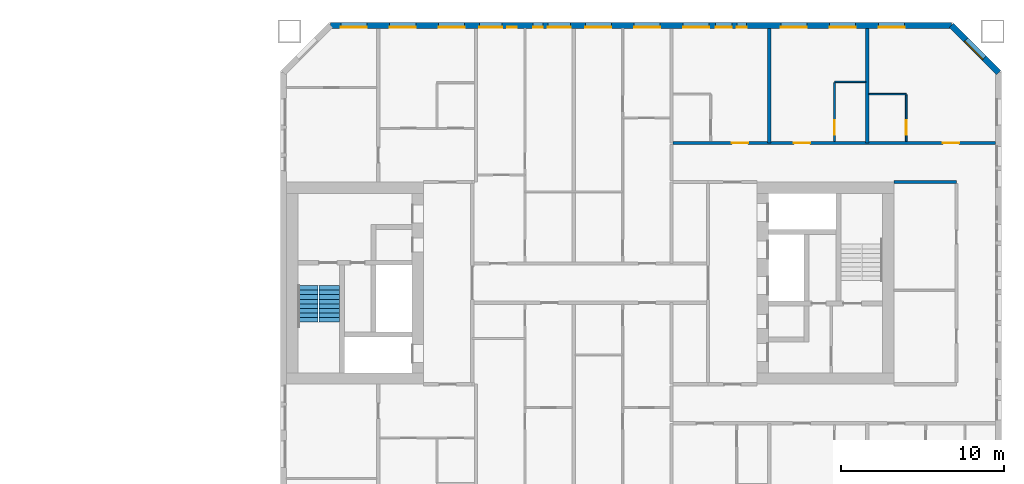
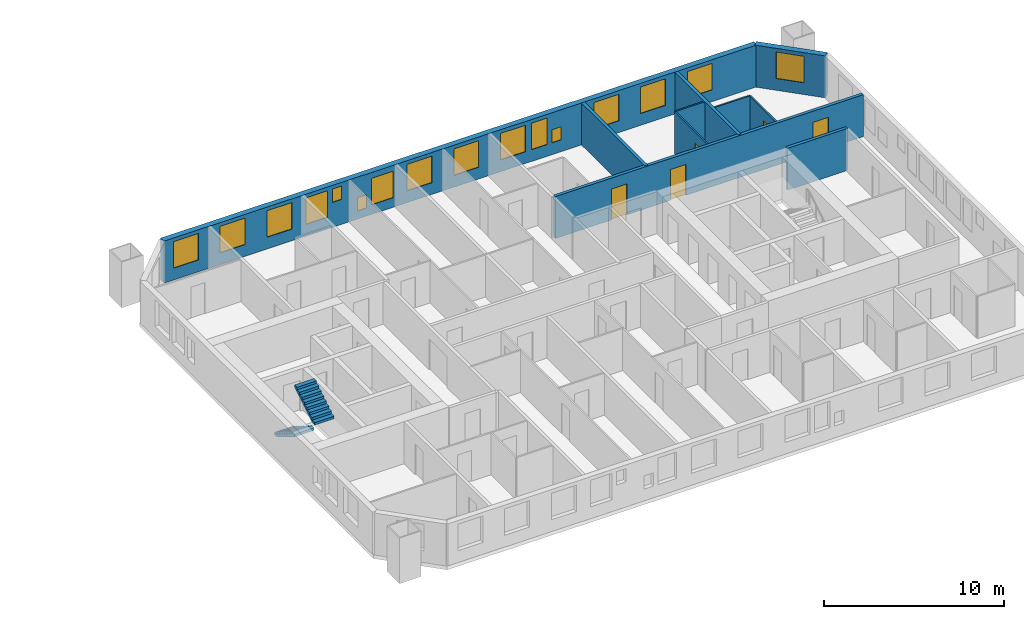
# One storey, part 14 of 17: 16 windows, 10 walls, 5 doors, 2 stair flights, 21 openings, 1 element without a shape of its own.
"""IFC4 building model written with IfcOpenShell, lengths in metres."""

from ifc_helpers import new_model, si_unit, direction, frame, frame_2d, origin, place, context, subcontext, project, spatial, polyline, rectangle, outline, extrude, material, layer, layer_set, type_object, element, fill, aggregate, save


model = new_model("IFC4")

# Units and contexts
model_context = context("Model", 3, precision=1e-05, world=origin(), true_north=direction((0.0, 1.0)))
body_context = subcontext(model_context, "Body", "Model", "MODEL_VIEW")
ifc_project = project(units=[si_unit("LENGTHUNIT", "METRE"), si_unit("AREAUNIT", "SQUARE_METRE"), si_unit("VOLUMEUNIT", "CUBIC_METRE"), si_unit("PLANEANGLEUNIT", "RADIAN"), si_unit("MASSUNIT", "GRAM", prefix="KILO")], contexts=[model_context])

# Site, building, storey
site_placement = place(None, origin())
site = spatial("IfcSite", under=ifc_project, at=site_placement, CompositionType="ELEMENT")
building_placement = place(site_placement, origin())
building = spatial("IfcBuilding", under=site, at=building_placement, Name="Tuart Gate Housing", CompositionType="ELEMENT")
storey_placement = place(building_placement, frame((0.0, 0.0, 80.89990234375)))
storey = spatial("IfcBuildingStorey", under=building, at=storey_placement, Name="L22", CompositionType="ELEMENT", Elevation=80.89990234375)

# Wall, opening, window
ifc_material_1 = material(Name="Brick", Category="masonry")
ifc_layer_1 = layer(ifc_material_1, 0.360107421875)
ifc_layer_set_1 = layer_set([ifc_layer_1], Name="Brick pier and spandrel wall 360")
wall_type_1 = type_object("IfcWallType", Name="Brick pier and spandrel wall 360", PredefinedType="STANDARD", material=ifc_layer_set_1)
wall_1_placement = place(storey_placement, frame((175.070068359375, 82.92529296875, 0.0), z_axis=(0.0, 0.0, 1.0), x_axis=(-0.707106781187, 0.707106781187, 0.0)))
wall_1 = element("IfcWall", 1, at=wall_1_placement, inside=storey, type_object=wall_type_1, Name="External wall B-NE L22", PredefinedType="STANDARD", context=body_context, shape_type="SweptSolid", body=[
    extrude(rectangle(XDim=4.09375, YDim=0.360107421875, at=frame_2d((2.046875, 0.0))), origin(), (0.0, 0.0, 1.0), 2.85009765625),
])
opening_1_placement = place(wall_1_placement, frame((1.2470703125, 0.0, 0.800048828125)))
opening_1 = element("IfcOpeningElement", 2, at=opening_1_placement, cuts=wall_1, Name="Opening W1", PredefinedType="OPENING", context=body_context, shape_type="SweptSolid", body=[
    extrude(rectangle(XDim=1.60009765625, YDim=1.800048828125, at=frame_2d((0.800048828125, 0.89990234375))), frame((0.0, 0.18994140625, 0.0), z_axis=(0.0, -1.0, 0.0), x_axis=(1.0, 0.0, 0.0)), (0.0, 0.0, 1.0), 0.380126953125),
])
ifc_material_2 = material(Name="Aluminium frame with clear glass", Category="aluminium")
window_type_1 = type_object("IfcWindowType", Name="Punched window 1600 x 1800", PartitioningType="SINGLE_PANEL", PredefinedType="WINDOW", material=ifc_material_2)
window_1_placement = place(opening_1_placement, origin())
window_1 = element("IfcWindow", 3, at=window_1_placement, inside=storey, type_object=window_type_1, Name="Window W1", OverallHeight=1.800048828125, OverallWidth=1.60009765625, PartitioningType="SINGLE_PANEL", PredefinedType="WINDOW", context=body_context, shape_type="SweptSolid", body=[
    extrude(rectangle(XDim=1.60009765625, YDim=1.800048828125, at=frame_2d((0.800048828125, 0.89990234375))), frame((0.0, 0.150146484375, 0.0), z_axis=(0.0, -1.0, 0.0), x_axis=(1.0, 0.0, 0.0)), (0.0, 0.0, 1.0), 0.06005859375),
])
fill(opening_1, window_1)

# Wall, openings, windows
wall_2_placement = place(storey_placement, frame((172.17529296875, 85.820068359375, 0.0), z_axis=(0.0, 0.0, 1.0), x_axis=(-1.0, 0.0, 0.0)))
wall_2 = element("IfcWall", 4, at=wall_2_placement, inside=storey, type_object=wall_type_1, Name="External wall B-N L22", PredefinedType="STANDARD", context=body_context, shape_type="SweptSolid", body=[
    extrude(rectangle(XDim=38.100830078125, YDim=0.360107421875, at=frame_2d((19.05029296875, 0.0))), origin(), (0.0, 0.0, 1.0), 2.85009765625),
])
opening_2_placement = place(wall_2_placement, frame((2.87548828125, 0.0, 0.800048828125)))
opening_2 = element("IfcOpeningElement", 5, at=opening_2_placement, cuts=wall_2, Name="Opening W1", PredefinedType="OPENING", context=body_context, shape_type="SweptSolid", body=[
    extrude(rectangle(XDim=1.60009765625, YDim=1.800048828125, at=frame_2d((0.800048828125, 0.89990234375))), frame((0.0, 0.18994140625, 0.0), z_axis=(0.0, -1.0, 0.0), x_axis=(1.0, 0.0, 0.0)), (0.0, 0.0, 1.0), 0.380126953125),
])
opening_3_placement = place(wall_2_placement, frame((5.87548828125, 0.0, 0.800048828125)))
opening_3 = element("IfcOpeningElement", 6, at=opening_3_placement, cuts=wall_2, Name="Opening W1", PredefinedType="OPENING", context=body_context, shape_type="SweptSolid", body=[
    extrude(rectangle(XDim=1.60009765625, YDim=1.800048828125, at=frame_2d((0.800048828125, 0.89990234375))), frame((0.0, 0.18994140625, 0.0), z_axis=(0.0, -1.0, 0.0), x_axis=(1.0, 0.0, 0.0)), (0.0, 0.0, 1.0), 0.380126953125),
])
opening_4_placement = place(wall_2_placement, frame((8.87548828125, 0.0, 0.800048828125)))
opening_4 = element("IfcOpeningElement", 7, at=opening_4_placement, cuts=wall_2, Name="Opening W1", PredefinedType="OPENING", context=body_context, shape_type="SweptSolid", body=[
    extrude(rectangle(XDim=1.60009765625, YDim=1.800048828125, at=frame_2d((0.800048828125, 0.89990234375))), frame((0.0, 0.18994140625, 0.0), z_axis=(0.0, -1.0, 0.0), x_axis=(1.0, 0.0, 0.0)), (0.0, 0.0, 1.0), 0.380126953125),
])
opening_5_placement = place(wall_2_placement, frame((12.575439453125, 0.0, 0.800048828125)))
opening_5 = element("IfcOpeningElement", 8, at=opening_5_placement, cuts=wall_2, Name="Opening W1W", PredefinedType="OPENING", context=body_context, shape_type="SweptSolid", body=[
    extrude(rectangle(XDim=0.60009765625, YDim=0.89990234375, at=frame_2d((0.300048828125, 0.449951171875))), frame((0.0, 0.18994140625, 0.0), z_axis=(0.0, -1.0, 0.0), x_axis=(1.0, 0.0, 0.0)), (0.0, 0.0, 1.0), 0.380126953125),
])
opening_6_placement = place(wall_2_placement, frame((14.87548828125, 0.0, 0.800048828125)))
opening_6 = element("IfcOpeningElement", 9, at=opening_6_placement, cuts=wall_2, Name="Opening W1", PredefinedType="OPENING", context=body_context, shape_type="SweptSolid", body=[
    extrude(rectangle(XDim=1.60009765625, YDim=1.800048828125, at=frame_2d((0.800048828125, 0.89990234375))), frame((0.0, 0.18994140625, 0.0), z_axis=(0.0, -1.0, 0.0), x_axis=(1.0, 0.0, 0.0)), (0.0, 0.0, 1.0), 0.380126953125),
])
opening_7_placement = place(wall_2_placement, frame((17.87548828125, 0.0, 0.800048828125)))
opening_7 = element("IfcOpeningElement", 10, at=opening_7_placement, cuts=wall_2, Name="Opening W1", PredefinedType="OPENING", context=body_context, shape_type="SweptSolid", body=[
    extrude(rectangle(XDim=1.60009765625, YDim=1.800048828125, at=frame_2d((0.800048828125, 0.89990234375))), frame((0.0, 0.18994140625, 0.0), z_axis=(0.0, -1.0, 0.0), x_axis=(1.0, 0.0, 0.0)), (0.0, 0.0, 1.0), 0.380126953125),
])
opening_8_placement = place(wall_2_placement, frame((20.87548828125, 0.0, 0.800048828125)))
opening_8 = element("IfcOpeningElement", 11, at=opening_8_placement, cuts=wall_2, Name="Opening W1", PredefinedType="OPENING", context=body_context, shape_type="SweptSolid", body=[
    extrude(rectangle(XDim=1.60009765625, YDim=1.800048828125, at=frame_2d((0.800048828125, 0.89990234375))), frame((0.0, 0.18994140625, 0.0), z_axis=(0.0, -1.0, 0.0), x_axis=(1.0, 0.0, 0.0)), (0.0, 0.0, 1.0), 0.380126953125),
])
opening_9_placement = place(wall_2_placement, frame((23.37548828125, 0.0, 0.64990234375)))
opening_9 = element("IfcOpeningElement", 12, at=opening_9_placement, cuts=wall_2, Name="Opening W1A", PredefinedType="OPENING", context=body_context, shape_type="SweptSolid", body=[
    extrude(rectangle(XDim=1.39990234375, YDim=1.800048828125, at=frame_2d((0.699951171875, 0.89990234375))), frame((0.0, 0.18994140625, 0.0), z_axis=(0.0, -1.0, 0.0), x_axis=(1.0, 0.0, 0.0)), (0.0, 0.0, 1.0), 0.380126953125),
])
opening_10_placement = place(wall_2_placement, frame((26.67529296875, 0.0, 1.699951171875)))
opening_10 = element("IfcOpeningElement", 13, at=opening_10_placement, cuts=wall_2, Name="Opening W1W", PredefinedType="OPENING", context=body_context, shape_type="SweptSolid", body=[
    extrude(rectangle(XDim=0.60009765625, YDim=0.89990234375, at=frame_2d((0.300048828125, 0.449951171875))), frame((0.0, 0.18994140625, 0.0), z_axis=(0.0, -1.0, 0.0), x_axis=(1.0, 0.0, 0.0)), (0.0, 0.0, 1.0), 0.380126953125),
])
opening_11_placement = place(wall_2_placement, frame((29.87548828125, 0.0, 0.800048828125)))
opening_11 = element("IfcOpeningElement", 14, at=opening_11_placement, cuts=wall_2, Name="Opening W1", PredefinedType="OPENING", context=body_context, shape_type="SweptSolid", body=[
    extrude(rectangle(XDim=1.60009765625, YDim=1.800048828125, at=frame_2d((0.800048828125, 0.89990234375))), frame((0.0, 0.18994140625, 0.0), z_axis=(0.0, -1.0, 0.0), x_axis=(1.0, 0.0, 0.0)), (0.0, 0.0, 1.0), 0.380126953125),
])
opening_12_placement = place(wall_2_placement, frame((32.87548828125, 0.0, 0.800048828125)))
opening_12 = element("IfcOpeningElement", 15, at=opening_12_placement, cuts=wall_2, Name="Opening W1", PredefinedType="OPENING", context=body_context, shape_type="SweptSolid", body=[
    extrude(rectangle(XDim=1.60009765625, YDim=1.800048828125, at=frame_2d((0.800048828125, 0.89990234375))), frame((0.0, 0.18994140625, 0.0), z_axis=(0.0, -1.0, 0.0), x_axis=(1.0, 0.0, 0.0)), (0.0, 0.0, 1.0), 0.380126953125),
])
opening_13_placement = place(wall_2_placement, frame((35.87548828125, 0.0, 0.800048828125)))
opening_13 = element("IfcOpeningElement", 16, at=opening_13_placement, cuts=wall_2, Name="Opening W1", PredefinedType="OPENING", context=body_context, shape_type="SweptSolid", body=[
    extrude(rectangle(XDim=1.60009765625, YDim=1.800048828125, at=frame_2d((0.800048828125, 0.89990234375))), frame((0.0, 0.18994140625, 0.0), z_axis=(0.0, -1.0, 0.0), x_axis=(1.0, 0.0, 0.0)), (0.0, 0.0, 1.0), 0.380126953125),
])
opening_14_placement = place(wall_2_placement, frame((13.475341796875, 0.0, 0.800048828125)))
opening_14 = element("IfcOpeningElement", 17, at=opening_14_placement, cuts=wall_2, Name="Opening W1C", PredefinedType="OPENING", context=body_context, shape_type="SweptSolid", body=[
    extrude(rectangle(XDim=1.0, YDim=1.800048828125, at=frame_2d((0.5, 0.89990234375))), frame((0.0, 0.18994140625, 0.0), z_axis=(0.0, -1.0, 0.0), x_axis=(1.0, 0.0, 0.0)), (0.0, 0.0, 1.0), 0.380126953125),
])
opening_15_placement = place(wall_2_placement, frame((25.075439453125, 0.0, 0.550048828125)))
opening_15 = element("IfcOpeningElement", 18, at=opening_15_placement, cuts=wall_2, Name="Opening W1W", PredefinedType="OPENING", context=body_context, shape_type="SweptSolid", body=[
    extrude(rectangle(XDim=0.60009765625, YDim=0.89990234375, at=frame_2d((0.300048828125, 0.449951171875))), frame((0.0, 0.18994140625, 0.0), z_axis=(0.0, -1.0, 0.0), x_axis=(1.0, 0.0, 0.0)), (0.0, 0.0, 1.0), 0.380126953125),
])
opening_16_placement = place(wall_2_placement, frame((27.575439453125, 0.0, 0.800048828125)))
opening_16 = element("IfcOpeningElement", 19, at=opening_16_placement, cuts=wall_2, Name="Opening W1A", PredefinedType="OPENING", context=body_context, shape_type="SweptSolid", body=[
    extrude(rectangle(XDim=1.39990234375, YDim=1.800048828125, at=frame_2d((0.699951171875, 0.89990234375))), frame((0.0, 0.18994140625, 0.0), z_axis=(0.0, -1.0, 0.0), x_axis=(1.0, 0.0, 0.0)), (0.0, 0.0, 1.0), 0.380126953125),
])
ifc_material_3 = material(Name="Aluminium frame with clear glass", Category="aluminium")
window_type_2 = type_object("IfcWindowType", Name="Punched window 1000 x 1800", PartitioningType="SINGLE_PANEL", PredefinedType="WINDOW", material=ifc_material_3)
window_2_placement = place(opening_14_placement, origin())
window_2 = element("IfcWindow", 20, at=window_2_placement, inside=storey, type_object=window_type_2, Name="Window W1C", OverallHeight=1.800048828125, OverallWidth=1.0, PartitioningType="SINGLE_PANEL", PredefinedType="WINDOW", context=body_context, shape_type="SweptSolid", body=[
    extrude(rectangle(XDim=1.0, YDim=1.800048828125, at=frame_2d((0.5, 0.89990234375))), frame((0.0, 0.150146484375, 0.0), z_axis=(0.0, -1.0, 0.0), x_axis=(1.0, 0.0, 0.0)), (0.0, 0.0, 1.0), 0.06005859375),
])
fill(opening_14, window_2)
ifc_material_4 = material(Name="Aluminium frame with clear glass", Category="aluminium")
window_type_3 = type_object("IfcWindowType", Name="Punched window 1400 x 1800", PartitioningType="SINGLE_PANEL", PredefinedType="WINDOW", material=ifc_material_4)
window_3_placement = place(opening_9_placement, origin())
window_3 = element("IfcWindow", 21, at=window_3_placement, inside=storey, type_object=window_type_3, Name="Window W1A", OverallHeight=1.800048828125, OverallWidth=1.39990234375, PartitioningType="SINGLE_PANEL", PredefinedType="WINDOW", context=body_context, shape_type="SweptSolid", body=[
    extrude(rectangle(XDim=1.39990234375, YDim=1.800048828125, at=frame_2d((0.699951171875, 0.89990234375))), frame((0.0, 0.150146484375, 0.0), z_axis=(0.0, -1.0, 0.0), x_axis=(1.0, 0.0, 0.0)), (0.0, 0.0, 1.0), 0.06005859375),
])
fill(opening_9, window_3)
window_4_placement = place(opening_16_placement, origin())
window_4 = element("IfcWindow", 22, at=window_4_placement, inside=storey, type_object=window_type_3, Name="Window W1A", OverallHeight=1.800048828125, OverallWidth=1.39990234375, PartitioningType="SINGLE_PANEL", PredefinedType="WINDOW", context=body_context, shape_type="SweptSolid", body=[
    extrude(rectangle(XDim=1.39990234375, YDim=1.800048828125, at=frame_2d((0.699951171875, 0.89990234375))), frame((0.0, 0.150146484375, 0.0), z_axis=(0.0, -1.0, 0.0), x_axis=(1.0, 0.0, 0.0)), (0.0, 0.0, 1.0), 0.06005859375),
])
fill(opening_16, window_4)
window_5_placement = place(opening_2_placement, origin())
window_5 = element("IfcWindow", 23, at=window_5_placement, inside=storey, type_object=window_type_1, Name="Window W1", OverallHeight=1.800048828125, OverallWidth=1.60009765625, PartitioningType="SINGLE_PANEL", PredefinedType="WINDOW", context=body_context, shape_type="SweptSolid", body=[
    extrude(rectangle(XDim=1.60009765625, YDim=1.800048828125, at=frame_2d((0.800048828125, 0.89990234375))), frame((0.0, 0.150146484375, 0.0), z_axis=(0.0, -1.0, 0.0), x_axis=(1.0, 0.0, 0.0)), (0.0, 0.0, 1.0), 0.06005859375),
])
fill(opening_2, window_5)
window_6_placement = place(opening_3_placement, origin())
window_6 = element("IfcWindow", 24, at=window_6_placement, inside=storey, type_object=window_type_1, Name="Window W1", OverallHeight=1.800048828125, OverallWidth=1.60009765625, PartitioningType="SINGLE_PANEL", PredefinedType="WINDOW", context=body_context, shape_type="SweptSolid", body=[
    extrude(rectangle(XDim=1.60009765625, YDim=1.800048828125, at=frame_2d((0.800048828125, 0.89990234375))), frame((0.0, 0.150146484375, 0.0), z_axis=(0.0, -1.0, 0.0), x_axis=(1.0, 0.0, 0.0)), (0.0, 0.0, 1.0), 0.06005859375),
])
fill(opening_3, window_6)
window_7_placement = place(opening_4_placement, origin())
window_7 = element("IfcWindow", 25, at=window_7_placement, inside=storey, type_object=window_type_1, Name="Window W1", OverallHeight=1.800048828125, OverallWidth=1.60009765625, PartitioningType="SINGLE_PANEL", PredefinedType="WINDOW", context=body_context, shape_type="SweptSolid", body=[
    extrude(rectangle(XDim=1.60009765625, YDim=1.800048828125, at=frame_2d((0.800048828125, 0.89990234375))), frame((0.0, 0.150146484375, 0.0), z_axis=(0.0, -1.0, 0.0), x_axis=(1.0, 0.0, 0.0)), (0.0, 0.0, 1.0), 0.06005859375),
])
fill(opening_4, window_7)
window_8_placement = place(opening_6_placement, origin())
window_8 = element("IfcWindow", 26, at=window_8_placement, inside=storey, type_object=window_type_1, Name="Window W1", OverallHeight=1.800048828125, OverallWidth=1.60009765625, PartitioningType="SINGLE_PANEL", PredefinedType="WINDOW", context=body_context, shape_type="SweptSolid", body=[
    extrude(rectangle(XDim=1.60009765625, YDim=1.800048828125, at=frame_2d((0.800048828125, 0.89990234375))), frame((0.0, 0.150146484375, 0.0), z_axis=(0.0, -1.0, 0.0), x_axis=(1.0, 0.0, 0.0)), (0.0, 0.0, 1.0), 0.06005859375),
])
fill(opening_6, window_8)
window_9_placement = place(opening_7_placement, origin())
window_9 = element("IfcWindow", 27, at=window_9_placement, inside=storey, type_object=window_type_1, Name="Window W1", OverallHeight=1.800048828125, OverallWidth=1.60009765625, PartitioningType="SINGLE_PANEL", PredefinedType="WINDOW", context=body_context, shape_type="SweptSolid", body=[
    extrude(rectangle(XDim=1.60009765625, YDim=1.800048828125, at=frame_2d((0.800048828125, 0.89990234375))), frame((0.0, 0.150146484375, 0.0), z_axis=(0.0, -1.0, 0.0), x_axis=(1.0, 0.0, 0.0)), (0.0, 0.0, 1.0), 0.06005859375),
])
fill(opening_7, window_9)
window_10_placement = place(opening_8_placement, origin())
window_10 = element("IfcWindow", 28, at=window_10_placement, inside=storey, type_object=window_type_1, Name="Window W1", OverallHeight=1.800048828125, OverallWidth=1.60009765625, PartitioningType="SINGLE_PANEL", PredefinedType="WINDOW", context=body_context, shape_type="SweptSolid", body=[
    extrude(rectangle(XDim=1.60009765625, YDim=1.800048828125, at=frame_2d((0.800048828125, 0.89990234375))), frame((0.0, 0.150146484375, 0.0), z_axis=(0.0, -1.0, 0.0), x_axis=(1.0, 0.0, 0.0)), (0.0, 0.0, 1.0), 0.06005859375),
])
fill(opening_8, window_10)
window_11_placement = place(opening_11_placement, origin())
window_11 = element("IfcWindow", 29, at=window_11_placement, inside=storey, type_object=window_type_1, Name="Window W1", OverallHeight=1.800048828125, OverallWidth=1.60009765625, PartitioningType="SINGLE_PANEL", PredefinedType="WINDOW", context=body_context, shape_type="SweptSolid", body=[
    extrude(rectangle(XDim=1.60009765625, YDim=1.800048828125, at=frame_2d((0.800048828125, 0.89990234375))), frame((0.0, 0.150146484375, 0.0), z_axis=(0.0, -1.0, 0.0), x_axis=(1.0, 0.0, 0.0)), (0.0, 0.0, 1.0), 0.06005859375),
])
fill(opening_11, window_11)
window_12_placement = place(opening_12_placement, origin())
window_12 = element("IfcWindow", 30, at=window_12_placement, inside=storey, type_object=window_type_1, Name="Window W1", OverallHeight=1.800048828125, OverallWidth=1.60009765625, PartitioningType="SINGLE_PANEL", PredefinedType="WINDOW", context=body_context, shape_type="SweptSolid", body=[
    extrude(rectangle(XDim=1.60009765625, YDim=1.800048828125, at=frame_2d((0.800048828125, 0.89990234375))), frame((0.0, 0.150146484375, 0.0), z_axis=(0.0, -1.0, 0.0), x_axis=(1.0, 0.0, 0.0)), (0.0, 0.0, 1.0), 0.06005859375),
])
fill(opening_12, window_12)
window_13_placement = place(opening_13_placement, origin())
window_13 = element("IfcWindow", 31, at=window_13_placement, inside=storey, type_object=window_type_1, Name="Window W1", OverallHeight=1.800048828125, OverallWidth=1.60009765625, PartitioningType="SINGLE_PANEL", PredefinedType="WINDOW", context=body_context, shape_type="SweptSolid", body=[
    extrude(rectangle(XDim=1.60009765625, YDim=1.800048828125, at=frame_2d((0.800048828125, 0.89990234375))), frame((0.0, 0.150146484375, 0.0), z_axis=(0.0, -1.0, 0.0), x_axis=(1.0, 0.0, 0.0)), (0.0, 0.0, 1.0), 0.06005859375),
])
fill(opening_13, window_13)
ifc_material_5 = material(Name="Aluminium frame with clear glass", Category="aluminium")
window_type_4 = type_object("IfcWindowType", Name="Punched window 600 x 900", PartitioningType="SINGLE_PANEL", PredefinedType="WINDOW", material=ifc_material_5)
window_14_placement = place(opening_5_placement, origin())
window_14 = element("IfcWindow", 32, at=window_14_placement, inside=storey, type_object=window_type_4, Name="Window W1W", OverallHeight=0.89990234375, OverallWidth=0.60009765625, PartitioningType="SINGLE_PANEL", PredefinedType="WINDOW", context=body_context, shape_type="SweptSolid", body=[
    extrude(rectangle(XDim=0.60009765625, YDim=0.89990234375, at=frame_2d((0.300048828125, 0.449951171875))), frame((0.0, 0.150146484375, 0.0), z_axis=(0.0, -1.0, 0.0), x_axis=(1.0, 0.0, 0.0)), (0.0, 0.0, 1.0), 0.06005859375),
])
fill(opening_5, window_14)
window_15_placement = place(opening_10_placement, origin())
window_15 = element("IfcWindow", 33, at=window_15_placement, inside=storey, type_object=window_type_4, Name="Window W1W", OverallHeight=0.89990234375, OverallWidth=0.60009765625, PartitioningType="SINGLE_PANEL", PredefinedType="WINDOW", context=body_context, shape_type="SweptSolid", body=[
    extrude(rectangle(XDim=0.60009765625, YDim=0.89990234375, at=frame_2d((0.300048828125, 0.449951171875))), frame((0.0, 0.150146484375, 0.0), z_axis=(0.0, -1.0, 0.0), x_axis=(1.0, 0.0, 0.0)), (0.0, 0.0, 1.0), 0.06005859375),
])
fill(opening_10, window_15)
window_16_placement = place(opening_15_placement, origin())
window_16 = element("IfcWindow", 34, at=window_16_placement, inside=storey, type_object=window_type_4, Name="Window W1W", OverallHeight=0.89990234375, OverallWidth=0.60009765625, PartitioningType="SINGLE_PANEL", PredefinedType="WINDOW", context=body_context, shape_type="SweptSolid", body=[
    extrude(rectangle(XDim=0.60009765625, YDim=0.89990234375, at=frame_2d((0.300048828125, 0.449951171875))), frame((0.0, 0.150146484375, 0.0), z_axis=(0.0, -1.0, 0.0), x_axis=(1.0, 0.0, 0.0)), (0.0, 0.0, 1.0), 0.06005859375),
])
fill(opening_15, window_16)

# Wall
ifc_material_6 = material(Name="Concrete masonry 15 MPa", Category="masonry")
ifc_layer_2 = layer(ifc_material_6, 0.199951171875)
ifc_layer_set_2 = layer_set([ifc_layer_2], Name="Corridor wall masonry 200")
wall_type_2 = type_object("IfcWallType", Name="Corridor wall masonry 200", PredefinedType="PARTITIONING", material=ifc_layer_set_2)
wall_3_placement = place(storey_placement, frame((168.639892578125, 76.199951171875, 0.0), z_axis=(0.0, 0.0, 1.0), x_axis=(1.0, 0.0, 0.0)))
element("IfcWall", 35, at=wall_3_placement, inside=storey, type_object=wall_type_2, Name="Corridor wall masonry 200", PredefinedType="PARTITIONING", context=body_context, shape_type="SweptSolid", body=[
    extrude(rectangle(XDim=3.85009765625, YDim=0.199951171875, at=frame_2d((1.925048828125, 0.0))), origin(), (0.0, 0.0, 1.0), 2.85009765625),
])

# Wall, openings, doors
wall_4_placement = place(storey_placement, frame((155.10009765625, 78.60009765625, 0.0), z_axis=(0.0, 0.0, 1.0), x_axis=(1.0, 0.0, 0.0)))
wall_4 = element("IfcWall", 36, at=wall_4_placement, inside=storey, type_object=wall_type_2, Name="Corridor wall masonry 200", PredefinedType="PARTITIONING", context=body_context, shape_type="SweptSolid", body=[
    extrude(rectangle(XDim=19.789794921875, YDim=0.199951171875, at=frame_2d((9.89501953125, 0.0))), origin(), (0.0, 0.0, 1.0), 2.85009765625),
])
opening_17_placement = place(wall_4_placement, frame((3.60009765625, 0.0, 0.0)))
opening_17 = element("IfcOpeningElement", 37, at=opening_17_placement, cuts=wall_4, Name="Opening D1021", PredefinedType="OPENING", context=body_context, shape_type="SweptSolid", body=[
    extrude(rectangle(XDim=1.0, YDim=2.10009765625, at=frame_2d((0.5, 1.050048828125))), frame((0.0, 0.10986328125, 0.0), z_axis=(0.0, -1.0, 0.0), x_axis=(1.0, 0.0, 0.0)), (0.0, 0.0, 1.0), 0.219970703125),
])
opening_18_placement = place(wall_4_placement, frame((7.39990234375, 0.0, 0.0)))
opening_18 = element("IfcOpeningElement", 38, at=opening_18_placement, cuts=wall_4, Name="Opening D1022", PredefinedType="OPENING", context=body_context, shape_type="SweptSolid", body=[
    extrude(rectangle(XDim=1.0, YDim=2.10009765625, at=frame_2d((0.5, 1.050048828125))), frame((0.0, 0.10986328125, 0.0), z_axis=(0.0, -1.0, 0.0), x_axis=(1.0, 0.0, 0.0)), (0.0, 0.0, 1.0), 0.219970703125),
])
opening_19_placement = place(wall_4_placement, frame((16.544921875, 0.0, 0.0)))
opening_19 = element("IfcOpeningElement", 39, at=opening_19_placement, cuts=wall_4, Name="Opening D1023", PredefinedType="OPENING", context=body_context, shape_type="SweptSolid", body=[
    extrude(rectangle(XDim=1.0, YDim=2.10009765625, at=frame_2d((0.5, 1.050048828125))), frame((0.0, 0.10986328125, 0.0), z_axis=(0.0, -1.0, 0.0), x_axis=(1.0, 0.0, 0.0)), (0.0, 0.0, 1.0), 0.219970703125),
])
ifc_material_7 = material(Name="Timber door leaf in steel frame", Category="steel")
door_type_1 = type_object("IfcDoorType", Name="Flat entrance door 1000", OperationType="SINGLE_SWING_LEFT", PredefinedType="DOOR", material=ifc_material_7)
door_1_placement = place(opening_17_placement, origin())
door_1 = element("IfcDoor", 40, at=door_1_placement, inside=storey, type_object=door_type_1, Name="Flat entrance door", OperationType="SINGLE_SWING_LEFT", OverallHeight=2.10009765625, OverallWidth=1.0, PredefinedType="DOOR", context=body_context, shape_type="SweptSolid", body=[
    extrude(rectangle(XDim=1.0, YDim=2.10009765625, at=frame_2d((0.5, 1.050048828125))), frame((0.0, 0.02490234375, 0.0), z_axis=(0.0, -1.0, 0.0), x_axis=(1.0, 0.0, 0.0)), (0.0, 0.0, 1.0), 0.050048828125),
])
fill(opening_17, door_1)
door_2_placement = place(opening_18_placement, origin())
door_2 = element("IfcDoor", 41, at=door_2_placement, inside=storey, type_object=door_type_1, Name="Flat entrance door", OperationType="SINGLE_SWING_LEFT", OverallHeight=2.10009765625, OverallWidth=1.0, PredefinedType="DOOR", context=body_context, shape_type="SweptSolid", body=[
    extrude(rectangle(XDim=1.0, YDim=2.10009765625, at=frame_2d((0.5, 1.050048828125))), frame((0.0, 0.02490234375, 0.0), z_axis=(0.0, -1.0, 0.0), x_axis=(1.0, 0.0, 0.0)), (0.0, 0.0, 1.0), 0.050048828125),
])
fill(opening_18, door_2)
door_3_placement = place(opening_19_placement, origin())
door_3 = element("IfcDoor", 42, at=door_3_placement, inside=storey, type_object=door_type_1, Name="Flat entrance door", OperationType="SINGLE_SWING_LEFT", OverallHeight=2.10009765625, OverallWidth=1.0, PredefinedType="DOOR", context=body_context, shape_type="SweptSolid", body=[
    extrude(rectangle(XDim=1.0, YDim=2.10009765625, at=frame_2d((0.5, 1.050048828125))), frame((0.0, 0.02490234375, 0.0), z_axis=(0.0, -1.0, 0.0), x_axis=(1.0, 0.0, 0.0)), (0.0, 0.0, 1.0), 0.050048828125),
])
fill(opening_19, door_3)

# Walls
ifc_material_8 = material(Name="Gypsum board on steel studs", Category="steel")
ifc_layer_3 = layer(ifc_material_8, 0.10009765625)
ifc_layer_set_3 = layer_set([ifc_layer_3], Name="Partition 100")
wall_type_3 = type_object("IfcWallType", Name="Partition 100", PredefinedType="PARTITIONING", material=ifc_layer_set_3)
wall_5_placement = place(storey_placement, frame((167.10009765625, 81.60009765625, 0.0), z_axis=(0.0, 0.0, 1.0), x_axis=(1.0, 0.0, 0.0)))
element("IfcWall", 43, at=wall_5_placement, inside=storey, type_object=wall_type_3, Name="Partition 100", PredefinedType="PARTITIONING", context=body_context, shape_type="SweptSolid", body=[
    extrude(rectangle(XDim=2.2998046875, YDim=0.10009765625, at=frame_2d((1.14990234375, 0.0))), origin(), (0.0, 0.0, 1.0), 2.85009765625),
])
wall_6_placement = place(storey_placement, frame((165.0, 82.35009765625, 0.0), z_axis=(0.0, 0.0, 1.0), x_axis=(1.0, 0.0, 0.0)))
element("IfcWall", 44, at=wall_6_placement, inside=storey, type_object=wall_type_3, Name="Partition 100", PredefinedType="PARTITIONING", context=body_context, shape_type="SweptSolid", body=[
    extrude(rectangle(XDim=1.89990234375, YDim=0.10009765625, at=frame_2d((0.949951171875, 0.0))), origin(), (0.0, 0.0, 1.0), 2.85009765625),
])

# Wall, opening, door
wall_7_placement = place(storey_placement, frame((165.0, 78.699951171875, 0.0), z_axis=(0.0, 0.0, 1.0), x_axis=(0.0, 1.0, 0.0)))
wall_7 = element("IfcWall", 45, at=wall_7_placement, inside=storey, type_object=wall_type_3, Name="Partition 100", PredefinedType="PARTITIONING", context=body_context, shape_type="SweptSolid", body=[
    extrude(rectangle(XDim=3.60009765625, YDim=0.10009765625, at=frame_2d((1.800048828125, 0.0))), origin(), (0.0, 0.0, 1.0), 2.85009765625),
])
opening_20_placement = place(wall_7_placement, frame((0.39990234375, 0.0, 0.0)))
opening_20 = element("IfcOpeningElement", 46, at=opening_20_placement, cuts=wall_7, Name="Opening D1015", PredefinedType="OPENING", context=body_context, shape_type="SweptSolid", body=[
    extrude(rectangle(XDim=0.89990234375, YDim=2.10009765625, at=frame_2d((0.449951171875, 1.050048828125))), frame((0.0, 0.06005859375, 0.0), z_axis=(0.0, -1.0, 0.0), x_axis=(1.0, 0.0, 0.0)), (0.0, 0.0, 1.0), 0.1201171875),
])
ifc_material_9 = material(Name="Timber door leaf in steel frame", Category="steel")
door_type_2 = type_object("IfcDoorType", Name="Bathroom door 900 RH", OperationType="SINGLE_SWING_RIGHT", PredefinedType="DOOR", material=ifc_material_9)
door_4_placement = place(opening_20_placement, frame((0.89990234375, 0.0, 0.0), z_axis=(0.0, 0.0, 1.0), x_axis=(-1.0, 0.0, 0.0)))
door_4 = element("IfcDoor", 47, at=door_4_placement, inside=storey, type_object=door_type_2, Name="Bathroom door", OperationType="SINGLE_SWING_RIGHT", OverallHeight=2.10009765625, OverallWidth=0.89990234375, PredefinedType="DOOR", context=body_context, shape_type="SweptSolid", body=[
    extrude(rectangle(XDim=0.89990234375, YDim=2.10009765625, at=frame_2d((0.449951171875, 1.050048828125))), frame((0.0, 0.025146484375, 0.0), z_axis=(0.0, -1.0, 0.0), x_axis=(1.0, 0.0, 0.0)), (0.0, 0.0, 1.0), 0.050048828125),
])
fill(opening_20, door_4)

wall_8_placement = place(storey_placement, frame((169.39990234375, 78.699951171875, 0.0), z_axis=(0.0, 0.0, 1.0), x_axis=(0.0, 1.0, 0.0)))
wall_8 = element("IfcWall", 48, at=wall_8_placement, inside=storey, type_object=wall_type_3, Name="Partition 100", PredefinedType="PARTITIONING", context=body_context, shape_type="SweptSolid", body=[
    extrude(rectangle(XDim=2.85009765625, YDim=0.10009765625, at=frame_2d((1.425048828125, 0.0))), origin(), (0.0, 0.0, 1.0), 2.85009765625),
])
opening_21_placement = place(wall_8_placement, frame((0.39990234375, 0.0, 0.0)))
opening_21 = element("IfcOpeningElement", 49, at=opening_21_placement, cuts=wall_8, Name="Opening D1018", PredefinedType="OPENING", context=body_context, shape_type="SweptSolid", body=[
    extrude(rectangle(XDim=0.89990234375, YDim=2.10009765625, at=frame_2d((0.449951171875, 1.050048828125))), frame((0.0, 0.06005859375, 0.0), z_axis=(0.0, -1.0, 0.0), x_axis=(1.0, 0.0, 0.0)), (0.0, 0.0, 1.0), 0.1201171875),
])
ifc_material_10 = material(Name="Timber door leaf in steel frame", Category="steel")
door_type_3 = type_object("IfcDoorType", Name="Bathroom door 900", OperationType="SINGLE_SWING_LEFT", PredefinedType="DOOR", material=ifc_material_10)
door_5_placement = place(opening_21_placement, origin())
door_5 = element("IfcDoor", 50, at=door_5_placement, inside=storey, type_object=door_type_3, Name="Bathroom door", OperationType="SINGLE_SWING_LEFT", OverallHeight=2.10009765625, OverallWidth=0.89990234375, PredefinedType="DOOR", context=body_context, shape_type="SweptSolid", body=[
    extrude(rectangle(XDim=0.89990234375, YDim=2.10009765625, at=frame_2d((0.449951171875, 1.050048828125))), frame((0.0, 0.02490234375, 0.0), z_axis=(0.0, -1.0, 0.0), x_axis=(1.0, 0.0, 0.0)), (0.0, 0.0, 1.0), 0.050048828125),
])
fill(opening_21, door_5)

# Walls
ifc_material_11 = material(Name="Concrete C40", Category="concrete")
ifc_layer_4 = layer(ifc_material_11, 0.199951171875)
ifc_layer_set_4 = layer_set([ifc_layer_4], Name="Party wall concrete C40 200")
wall_type_4 = type_object("IfcWallType", Name="Party wall concrete C40 200", PredefinedType="SOLIDWALL", material=ifc_layer_set_4)
for number, where, z_axis, x_axis, name in (
    (51, (161.0, 78.60009765625, 0.0), (0.0, 0.0, 1.0), (0.0, 1.0, 0.0), "Party wall concrete C40 200"),
    (52, (167.0, 78.60009765625, 0.0), (0.0, 0.0, 1.0), (0.0, 1.0, 0.0), "Party wall concrete C40 200"),
):
    element("IfcWall", number, at=place(storey_placement, frame(where, z_axis=z_axis, x_axis=x_axis)), inside=storey, type_object=wall_type_4, Name=name, PredefinedType="SOLIDWALL", context=body_context, shape_type="SweptSolid", body=[
        extrude(rectangle(XDim=7.039794921875, YDim=0.199951171875, at=frame_2d((3.52001953125, 0.0))), origin(), (0.0, 0.0, 1.0), 2.85009765625),
    ])

# Stair, stair flights
ifc_material_12 = material(Name="Concrete C40", Category="concrete")
stair_type = type_object("IfcStairType", Name="Core stair 1250", PredefinedType="HALF_TURN_STAIR", material=ifc_material_12)
stair_placement = place(storey_placement, origin())
stair = element("IfcStair", 53, at=stair_placement, inside=storey, type_object=stair_type, Name="Stair SB1", PredefinedType="HALF_TURN_STAIR")
ifc_material_13 = material(Name="Concrete C40", Category="concrete")
stair_flight_type = type_object("IfcStairFlightType", Name="Stair flight 1250, 9 risers 172 x 280", PredefinedType="STRAIGHT", material=ifc_material_13)
stair_flight_1_placement = place(storey_placement, frame((132.68505859375, 69.85009765625, 0.0), z_axis=(0.0, 0.0, 1.0), x_axis=(0.0, -1.0, 0.0)))
stair_flight_1 = element("IfcStairFlight", 54, at=stair_flight_1_placement, type_object=stair_flight_type, Name="SB1 flight 1", NumberOfRisers=9, NumberOfTreads=8, PredefinedType="STRAIGHT", RiserHeight=0.172222222, TreadLength=0.28, context=body_context, shape_type="SweptSolid", body=[
    extrude(outline(polyline([(0.0, 0.0), (0.0, 0.172119140625), (0.280029296875, 0.172119140625), (0.280029296875, 0.344482421875), (0.56005859375, 0.344482421875), (0.56005859375, 0.5166015625), (0.840087890625, 0.5166015625), (0.840087890625, 0.68896484375), (1.1201171875, 0.68896484375), (1.1201171875, 0.861083984375), (1.39990234375, 0.861083984375), (1.39990234375, 1.033447265625), (1.679931640625, 1.033447265625), (1.679931640625, 1.20556640625), (1.9599609375, 1.20556640625), (1.9599609375, 1.377685546875), (2.239990234375, 1.377685546875), (2.239990234375, 1.550048828125), (2.239990234375, 1.201904296875), (0.2861328125, 0.0), (0.0, 0.0)])), frame((0.0, 0.625, 0.0), z_axis=(0.0, -1.0, 0.0), x_axis=(1.0, 0.0, 0.0)), (0.0, 0.0, 1.0), 1.25),
])
stair_flight_2_placement = place(storey_placement, frame((133.985107421875, 67.610107421875, 1.550048828125), z_axis=(0.0, 0.0, 1.0), x_axis=(0.0, 1.0, 0.0)))
stair_flight_2 = element("IfcStairFlight", 55, at=stair_flight_2_placement, type_object=stair_flight_type, Name="SB1 flight 2", NumberOfRisers=9, NumberOfTreads=8, PredefinedType="STRAIGHT", RiserHeight=0.172222222, TreadLength=0.28, context=body_context, shape_type="SweptSolid", body=[
    extrude(outline(polyline([(0.0, 0.0), (0.0, 0.172119140625), (0.280029296875, 0.172119140625), (0.280029296875, 0.344482421875), (0.56005859375, 0.344482421875), (0.56005859375, 0.5166015625), (0.840087890625, 0.5166015625), (0.840087890625, 0.68896484375), (1.1201171875, 0.68896484375), (1.1201171875, 0.861083984375), (1.39990234375, 0.861083984375), (1.39990234375, 1.033447265625), (1.679931640625, 1.033447265625), (1.679931640625, 1.20556640625), (1.9599609375, 1.20556640625), (1.9599609375, 1.377685546875), (2.239990234375, 1.377685546875), (2.239990234375, 1.550048828125), (2.239990234375, 1.201904296875), (0.2861328125, 0.0), (0.0, 0.0)])), frame((0.0, 0.625, 0.0), z_axis=(0.0, -1.0, 0.0), x_axis=(1.0, 0.0, 0.0)), (0.0, 0.0, 1.0), 1.25),
])
aggregate(stair, [stair_flight_1, stair_flight_2])

save(model, "model.ifc")
